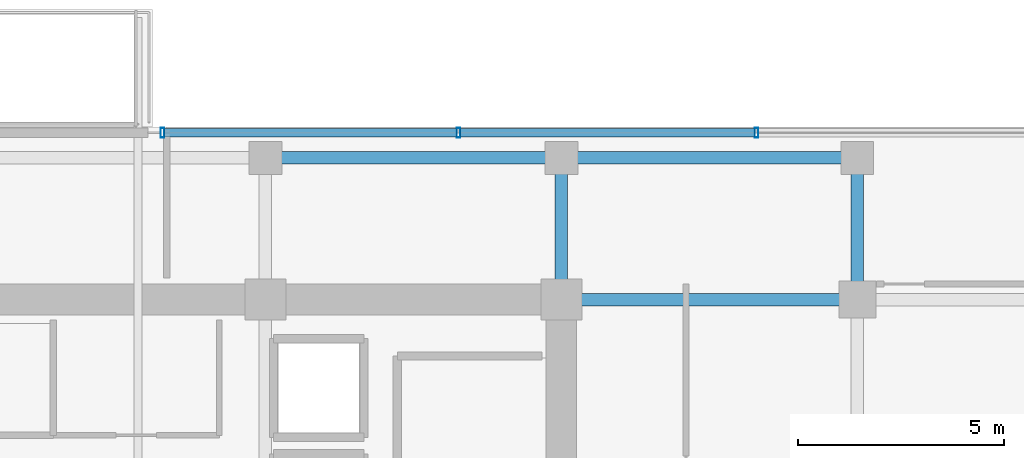
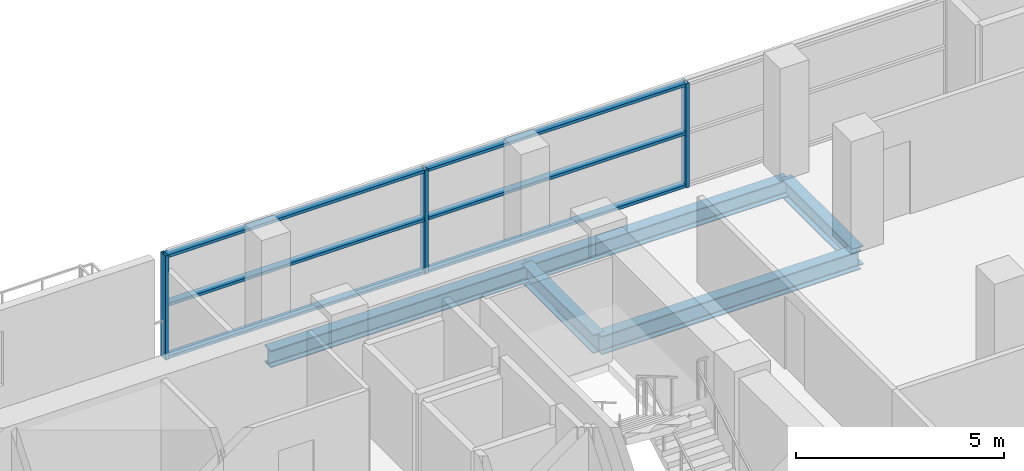
# One storey, part 12 of 23: 9 members, 5 beams, 1 element without a shape of its own.
"""IFC4 building model written with IfcOpenShell, lengths in metres."""

from ifc_helpers import new_model, si_unit, direction, frame, origin, origin_2d, place, context, subcontext, project, spatial, hollow_rectangle, i_section, extrude, source, transform, mapped, material, layer, layer_set, material_profile, profile_set, type_object, element, aggregate, save


model = new_model("IFC4")

# Units and contexts
model_context = context("Model", 3, precision=1e-05, world=origin(), true_north=direction((0.0, 1.0)))
body_context = subcontext(model_context, "Body", "Model", "MODEL_VIEW")
ifc_project = project(units=[si_unit("LENGTHUNIT", "METRE"), si_unit("AREAUNIT", "SQUARE_METRE"), si_unit("VOLUMEUNIT", "CUBIC_METRE"), si_unit("PLANEANGLEUNIT", "RADIAN"), si_unit("MASSUNIT", "GRAM", prefix="KILO")], contexts=[model_context])

# Site, building, storey
site_placement = place(None, origin())
site = spatial("IfcSite", under=ifc_project, at=site_placement, CompositionType="ELEMENT")
building_placement = place(site_placement, origin())
building = spatial("IfcBuilding", under=site, at=building_placement, Name="Zarnakvel Exchange Tower", CompositionType="ELEMENT")
storey_placement = place(building_placement, frame((0.0, 0.0, 116.5)))
storey = spatial("IfcBuildingStorey", under=building, at=storey_placement, Name="L32", CompositionType="ELEMENT", Elevation=116.5)

# Beams
ifc_material_1 = material(Name="Steel S355", Category="steel")
ifc_material_profile_1 = material_profile(ifc_material_1, i_section(OverallWidth=0.300048828125, OverallDepth=0.550048828125, WebThickness=0.014892578125, FlangeThickness=0.029052734375, FilletRadius=0.027099609375, at=origin_2d()))
ifc_profile_set_1 = profile_set([ifc_material_profile_1], Name="Steel S355")
beam_type_1 = type_object("IfcBeamType", Name="G-05", PredefinedType="BEAM", material=ifc_profile_set_1)
beam_1_placement = place(storey_placement, frame((14.39990234375, 13.5, -0.5), z_axis=(1.0, 0.0, 0.0), x_axis=(0.0, 1.0, 0.0)))
element("IfcBeam", 1, at=beam_1_placement, inside=storey, type_object=beam_type_1, Name="L32 Tower E-W Frame Beam", PredefinedType="BEAM", context=body_context, shape_type="SweptSolid", body=[
    extrude(i_section(OverallWidth=0.300048828125, OverallDepth=0.550048828125, WebThickness=0.014892578125, FlangeThickness=0.029052734375, FilletRadius=0.027099609375, at=origin_2d()), origin(), (0.0, 0.0, 1.0), 7.2001953125),
])
for number, where, z_axis, x_axis, name in (
    (2, (14.39990234375, 13.5, -0.5), (0.0, 1.0, 0.0), (-1.0, 0.0, 0.0), "L32 Tower N-S Frame Beam"),
    (3, (21.60009765625, 13.5, -0.5), (0.0, 1.0, 0.0), (-1.0, 0.0, 0.0), "L32 Tower N-S Frame Beam"),
):
    element("IfcBeam", number, at=place(storey_placement, frame(where, z_axis=z_axis, x_axis=x_axis)), inside=storey, type_object=beam_type_1, Name=name, PredefinedType="BEAM", context=body_context, shape_type="SweptSolid", body=[
        extrude(i_section(OverallWidth=0.300048828125, OverallDepth=0.550048828125, WebThickness=0.014892578125, FlangeThickness=0.029052734375, FilletRadius=0.027099609375, at=origin_2d()), origin(), (0.0, 0.0, 1.0), 3.449951171875),
    ])
ifc_material_profile_2 = material_profile(ifc_material_1, i_section(OverallWidth=0.300048828125, OverallDepth=0.5, WebThickness=0.014404296875, FlangeThickness=0.028076171875, FilletRadius=0.027099609375, at=origin_2d()))
ifc_profile_set_2 = profile_set([ifc_material_profile_2], Name="Steel S355")
beam_type_2 = type_object("IfcBeamType", Name="SP-02", PredefinedType="SPANDREL", material=ifc_profile_set_2)
beam_2_placement = place(storey_placement, frame((7.199951171875, 16.949951171875, -0.47509765625), z_axis=(1.0, 0.0, 0.0), x_axis=(0.0, 1.0, 0.0)))
element("IfcBeam", 4, at=beam_2_placement, inside=storey, type_object=beam_type_2, Name="L32 Tower E-W Frame Beam", PredefinedType="SPANDREL", context=body_context, shape_type="SweptSolid", body=[
    extrude(i_section(OverallWidth=0.300048828125, OverallDepth=0.5, WebThickness=0.014404296875, FlangeThickness=0.028076171875, FilletRadius=0.027099609375, at=origin_2d()), origin(), (0.0, 0.0, 1.0), 7.199951171875),
])
beam_3_placement = place(storey_placement, frame((14.39990234375, 16.949951171875, -0.47509765625), z_axis=(1.0, 0.0, 0.0), x_axis=(0.0, 1.0, 0.0)))
element("IfcBeam", 5, at=beam_3_placement, inside=storey, type_object=beam_type_2, Name="L32 Tower E-W Frame Beam", PredefinedType="SPANDREL", context=body_context, shape_type="SweptSolid", body=[
    extrude(i_section(OverallWidth=0.300048828125, OverallDepth=0.5, WebThickness=0.014404296875, FlangeThickness=0.028076171875, FilletRadius=0.027099609375, at=origin_2d()), origin(), (0.0, 0.0, 1.0), 7.2001953125),
])

# Curtain wall, members
ifc_material_2 = material(Name="Architectural Bronze Anodised Aluminium", Category="aluminium")
ifc_layer = layer(ifc_material_2, 0.239990234375)
ifc_layer_set = layer_set([ifc_layer], Name="Architectural Bronze Anodised Aluminium")
curtain_wall_type = type_object("IfcCurtainWallType", Name="CW-02", PredefinedType="NOTDEFINED", material=ifc_layer_set)
curtain_wall_placement = place(storey_placement, origin())
curtain_wall = element("IfcCurtainWall", 6, at=curtain_wall_placement, inside=storey, type_object=curtain_wall_type, Name="L32 Curtain Wall CW-L32-N1 (CW-02)", PredefinedType="NOTDEFINED")
ifc_material_profile_3 = material_profile(ifc_material_2, hollow_rectangle(XDim=0.239990234375, YDim=0.090087890625, WallThickness=0.006103515625, at=origin_2d()))
ifc_profile_set_3 = profile_set([ifc_material_profile_3], Name="Architectural Bronze Anodised Aluminium")
member_type_1 = type_object("IfcMemberType", Name="CWM-02", PredefinedType="MULLION", material=ifc_profile_set_3)
shared_shape_1 = source(origin(), body_context, "Body", "SweptSolid", [
    extrude(hollow_rectangle(XDim=0.239990234375, YDim=0.090087890625, WallThickness=0.006103515625, at=origin_2d()), origin(), (0.0, 0.0, 1.0), 3.054931640625),
])
member_1_placement = place(storey_placement, frame((4.695068359375, 17.56005859375, 0.0), z_axis=(0.0, 0.0, 1.0), x_axis=(0.0, 1.0, 0.0)))
member_1 = element("IfcMember", 7, at=member_1_placement, type_object=member_type_1, Name="CW-02 mullion 1", PredefinedType="MULLION", context=body_context, shape_type="MappedRepresentation", body=[
    mapped(shared_shape_1, transform((0.0, 0.0, 0.0), x_axis=(1.0, 0.0, 0.0), y_axis=(0.0, 1.0, 0.0), z_axis=(0.0, 0.0, 1.0), scale=1.0)),
])
member_2_placement = place(storey_placement, frame((11.89990234375, 17.56005859375, 0.0), z_axis=(0.0, 0.0, 1.0), x_axis=(0.0, 1.0, 0.0)))
member_2 = element("IfcMember", 8, at=member_2_placement, type_object=member_type_1, Name="CW-02 mullion 2", PredefinedType="MULLION", context=body_context, shape_type="MappedRepresentation", body=[
    mapped(shared_shape_1, transform((0.0, 0.0, 0.0), x_axis=(1.0, 0.0, 0.0), y_axis=(0.0, 1.0, 0.0), z_axis=(0.0, 0.0, 1.0), scale=1.0)),
])
member_3_placement = place(storey_placement, frame((19.14990234375, 17.56005859375, 0.0), z_axis=(0.0, 0.0, 1.0), x_axis=(0.0, 1.0, 0.0)))
member_3 = element("IfcMember", 9, at=member_3_placement, type_object=member_type_1, Name="CW-02 mullion 3", PredefinedType="MULLION", context=body_context, shape_type="MappedRepresentation", body=[
    mapped(shared_shape_1, transform((0.0, 0.0, 0.0), x_axis=(1.0, 0.0, 0.0), y_axis=(0.0, 1.0, 0.0), z_axis=(0.0, 0.0, 1.0), scale=1.0)),
])
ifc_material_profile_4 = material_profile(ifc_material_2, hollow_rectangle(XDim=0.199951171875, YDim=0.0849609375, WallThickness=0.0048828125, at=origin_2d()))
ifc_profile_set_4 = profile_set([ifc_material_profile_4], Name="Architectural Bronze Anodised Aluminium")
member_type_2 = type_object("IfcMemberType", Name="CWT-02", PredefinedType="USERDEFINED", material=ifc_profile_set_4)
shared_shape_2 = source(origin(), body_context, "Body", "SweptSolid", [
    extrude(hollow_rectangle(XDim=0.199951171875, YDim=0.0849609375, WallThickness=0.0048828125, at=origin_2d()), origin(), (0.0, 0.0, 1.0), 7.114990234375),
])
member_4_placement = place(storey_placement, frame((4.739990234375, 17.56005859375, 0.04248046875), z_axis=(1.0, 0.0, 0.0), x_axis=(0.0, 1.0, 0.0)))
member_4 = element("IfcMember", 10, at=member_4_placement, type_object=member_type_2, Name="CW-02 transom 1.1", ObjectType="TRANSOM", PredefinedType="USERDEFINED", context=body_context, shape_type="MappedRepresentation", body=[
    mapped(shared_shape_2, transform((0.0, 0.0, 0.0), x_axis=(1.0, 0.0, 0.0), y_axis=(0.0, 1.0, 0.0), z_axis=(0.0, 0.0, 1.0), scale=1.0)),
])
member_5_placement = place(storey_placement, frame((4.739990234375, 17.56005859375, 1.588623046875), z_axis=(1.0, 0.0, 0.0), x_axis=(0.0, 1.0, 0.0)))
member_5 = element("IfcMember", 11, at=member_5_placement, type_object=member_type_2, Name="CW-02 transom 1.2", ObjectType="TRANSOM", PredefinedType="USERDEFINED", context=body_context, shape_type="MappedRepresentation", body=[
    mapped(shared_shape_2, transform((0.0, 0.0, 0.0), x_axis=(1.0, 0.0, 0.0), y_axis=(0.0, 1.0, 0.0), z_axis=(0.0, 0.0, 1.0), scale=1.0)),
])
member_6_placement = place(storey_placement, frame((4.739990234375, 17.56005859375, 3.012451171875), z_axis=(1.0, 0.0, 0.0), x_axis=(0.0, 1.0, 0.0)))
member_6 = element("IfcMember", 12, at=member_6_placement, type_object=member_type_2, Name="CW-02 transom 1.3", ObjectType="TRANSOM", PredefinedType="USERDEFINED", context=body_context, shape_type="MappedRepresentation", body=[
    mapped(shared_shape_2, transform((0.0, 0.0, 0.0), x_axis=(1.0, 0.0, 0.0), y_axis=(0.0, 1.0, 0.0), z_axis=(0.0, 0.0, 1.0), scale=1.0)),
])
shared_shape_3 = source(origin(), body_context, "Body", "SweptSolid", [
    extrude(hollow_rectangle(XDim=0.199951171875, YDim=0.0849609375, WallThickness=0.0048828125, at=origin_2d()), origin(), (0.0, 0.0, 1.0), 7.159912109375),
])
member_7_placement = place(storey_placement, frame((11.945068359375, 17.56005859375, 0.04248046875), z_axis=(1.0, 0.0, 0.0), x_axis=(0.0, 1.0, 0.0)))
member_7 = element("IfcMember", 13, at=member_7_placement, type_object=member_type_2, Name="CW-02 transom 2.1", ObjectType="TRANSOM", PredefinedType="USERDEFINED", context=body_context, shape_type="MappedRepresentation", body=[
    mapped(shared_shape_3, transform((0.0, 0.0, 0.0), x_axis=(1.0, 0.0, 0.0), y_axis=(0.0, 1.0, 0.0), z_axis=(0.0, 0.0, 1.0), scale=1.0)),
])
member_8_placement = place(storey_placement, frame((11.945068359375, 17.56005859375, 1.588623046875), z_axis=(1.0, 0.0, 0.0), x_axis=(0.0, 1.0, 0.0)))
member_8 = element("IfcMember", 14, at=member_8_placement, type_object=member_type_2, Name="CW-02 transom 2.2", ObjectType="TRANSOM", PredefinedType="USERDEFINED", context=body_context, shape_type="MappedRepresentation", body=[
    mapped(shared_shape_3, transform((0.0, 0.0, 0.0), x_axis=(1.0, 0.0, 0.0), y_axis=(0.0, 1.0, 0.0), z_axis=(0.0, 0.0, 1.0), scale=1.0)),
])
member_9_placement = place(storey_placement, frame((11.945068359375, 17.56005859375, 3.012451171875), z_axis=(1.0, 0.0, 0.0), x_axis=(0.0, 1.0, 0.0)))
member_9 = element("IfcMember", 15, at=member_9_placement, type_object=member_type_2, Name="CW-02 transom 2.3", ObjectType="TRANSOM", PredefinedType="USERDEFINED", context=body_context, shape_type="MappedRepresentation", body=[
    mapped(shared_shape_3, transform((0.0, 0.0, 0.0), x_axis=(1.0, 0.0, 0.0), y_axis=(0.0, 1.0, 0.0), z_axis=(0.0, 0.0, 1.0), scale=1.0)),
])
aggregate(curtain_wall, [member_1, member_2, member_3, member_4, member_5, member_6, member_7, member_8, member_9])

save(model, "model.ifc")
